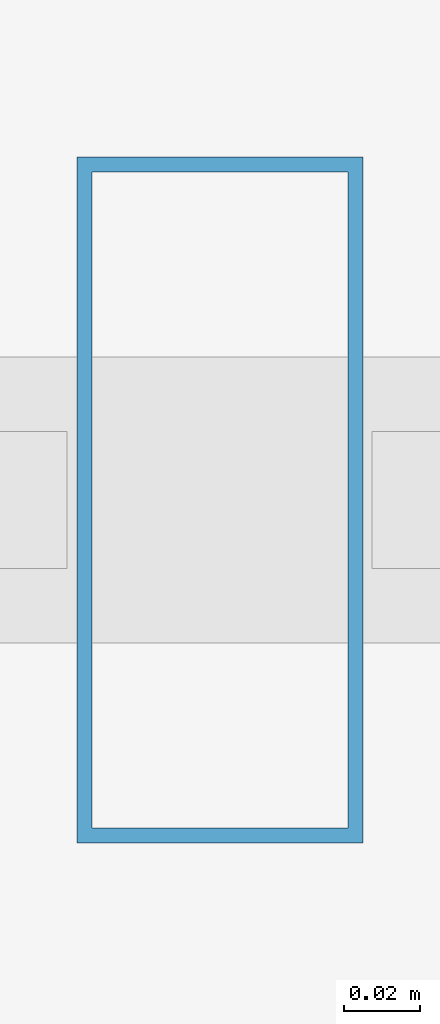
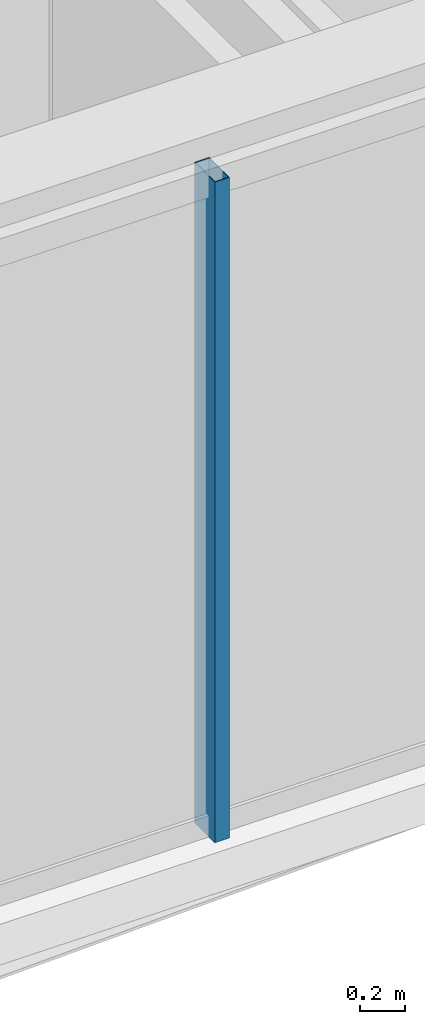
# One storey, part 9 of 32: 1 member, 1 element without a shape of its own.
"""IFC4 building model written with IfcOpenShell, lengths in metres."""

from ifc_helpers import new_model, si_unit, direction, frame, origin, origin_2d, place, context, subcontext, project, spatial, hollow_rectangle, extrude, material, layer, layer_set, material_profile, profile_set, type_object, element, aggregate, save


model = new_model("IFC4")

# Units and contexts
model_context = context("Model", 3, precision=1e-05, world=origin(), true_north=direction((0.0, 1.0)))
body_context = subcontext(model_context, "Body", "Model", "MODEL_VIEW")
ifc_project = project(units=[si_unit("LENGTHUNIT", "METRE"), si_unit("AREAUNIT", "SQUARE_METRE"), si_unit("VOLUMEUNIT", "CUBIC_METRE"), si_unit("PLANEANGLEUNIT", "RADIAN"), si_unit("MASSUNIT", "GRAM", prefix="KILO")], contexts=[model_context])

# Site, building, storey
site_placement = place(None, origin())
site = spatial("IfcSite", under=ifc_project, at=site_placement, CompositionType="ELEMENT")
building_placement = place(site_placement, origin())
building = spatial("IfcBuilding", under=site, at=building_placement, Name="Ndaravel Arena Tower", CompositionType="ELEMENT")
storey_placement = place(building_placement, frame((0.0, 0.0, 93.0)))
storey = spatial("IfcBuildingStorey", under=building, at=storey_placement, Name="L21", CompositionType="ELEMENT", Elevation=93.0)

# Curtain wall, member
ifc_material_1 = material(Name="Aluminium", Category="aluminium")
ifc_layer = layer(ifc_material_1, 0.179931640625)
ifc_layer_set = layer_set([ifc_layer], Name="Aluminium")
curtain_wall_type = type_object("IfcCurtainWallType", Name="CW-SYS-03", PredefinedType="NOTDEFINED", material=ifc_layer_set)
curtain_wall_placement = place(storey_placement, origin())
curtain_wall = element("IfcCurtainWall", 1, at=curtain_wall_placement, inside=storey, type_object=curtain_wall_type, Name="L21 Faceted Crystal Curtain Wall CW-L21-E01", PredefinedType="NOTDEFINED")
ifc_material_2 = material(Name="Aluminium", Category="aluminium")
ifc_material_profile = material_profile(ifc_material_2, hollow_rectangle(XDim=0.074951171875, YDim=0.179931640625, WallThickness=0.00390625, at=origin_2d()), Name="CW MULLION 75x180x4")
ifc_profile_set = profile_set([ifc_material_profile], Name="Aluminium")
member_type = type_object("IfcMemberType", Name="MEM-CW-MUL180", PredefinedType="MULLION", material=ifc_profile_set)
member_placement = place(storey_placement, frame((46.153076171875, 5.159912109375, 0.0), z_axis=(0.0, 0.0, 1.0), x_axis=(1.0, 0.0, 0.0)))
member = element("IfcMember", 2, at=member_placement, type_object=member_type, Name="CW-L21-E01 Mullion 05", PredefinedType="MULLION", context=body_context, shape_type="SweptSolid", body=[
    extrude(hollow_rectangle(XDim=0.074951171875, YDim=0.179931640625, WallThickness=0.00390625, at=origin_2d()), origin(), (0.0, 0.0, 1.0), 3.580078125),
])
aggregate(curtain_wall, [member])

save(model, "model.ifc")
